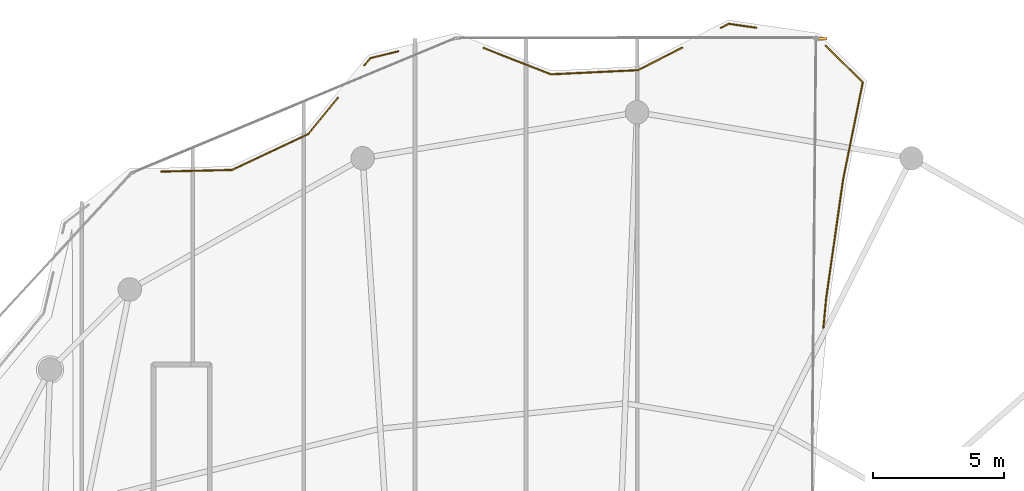
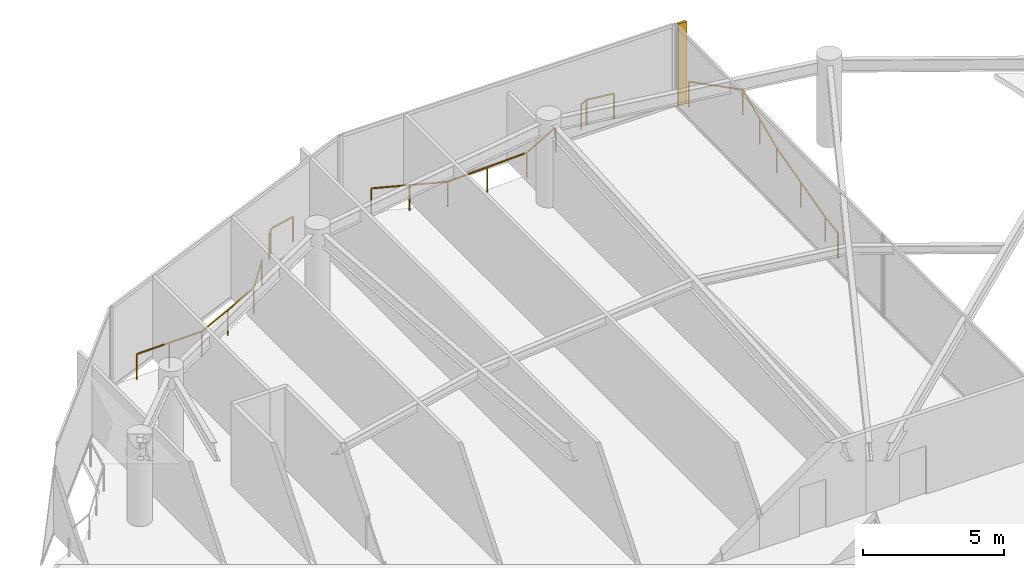
# One storey, part 22 of 22: 5 railings, 1 shading device.
"""IFC4 building model written with IfcOpenShell, lengths in metres."""

from ifc_helpers import new_model, si_unit, direction, frame, origin, origin_2d, place, context, subcontext, project, spatial, rectangle, extrude, material, type_object, element, save


model = new_model("IFC4")

# Units and contexts
model_context = context("Model", 3, precision=1e-05, world=origin(), true_north=direction((0.0, 1.0)))
body_context = subcontext(model_context, "Body", "Model", "MODEL_VIEW")
ifc_project = project(units=[si_unit("LENGTHUNIT", "METRE"), si_unit("AREAUNIT", "SQUARE_METRE"), si_unit("VOLUMEUNIT", "CUBIC_METRE"), si_unit("PLANEANGLEUNIT", "RADIAN"), si_unit("MASSUNIT", "GRAM", prefix="KILO")], contexts=[model_context])

# Site, building, storey
site_placement = place(None, origin())
site = spatial("IfcSite", under=ifc_project, at=site_placement, CompositionType="ELEMENT")
building_placement = place(site_placement, origin())
building = spatial("IfcBuilding", under=site, at=building_placement, Name="Kazevale Care Tower and Concert Hall", CompositionType="ELEMENT")
storey_placement = place(building_placement, frame((0.0, 0.0, 273.800048828125)))
storey = spatial("IfcBuildingStorey", under=building, at=storey_placement, Name="L72", CompositionType="ELEMENT", Elevation=273.800048828125)

# Railings
ifc_material_1 = material(Name="Anodised Bronze Aluminium and Laminated Glass", Category="aluminium")
railing_type = type_object("IfcRailingType", Name="Balcony and Terrace Balustrade 1120", PredefinedType="BALUSTRADE", material=ifc_material_1)
railing_1_placement = place(storey_placement, frame((26.7890625, 58.881103515625, 0.0)))
element("IfcRailing", 1, at=railing_1_placement, inside=storey, type_object=railing_type, Name="rail:L72:perim:4", PredefinedType="BALUSTRADE", context=body_context, shape_type="SweptSolid", body=[
    extrude(rectangle(XDim=0.048095703125, YDim=0.048095703125, at=origin_2d()), frame((0.0, 0.0, 1.09619140625), z_axis=(0.999729790592, 0.023245339399, 0.0), x_axis=(-0.023245339399, 0.999729790592, 0.0)), (0.0, 0.0, 1.0), 2.709716796875),
    extrude(rectangle(XDim=0.048095703125, YDim=0.048095703125, at=origin_2d()), frame((2.708984375, 0.06298828125, 1.09619140625), z_axis=(0.904530641987, 0.426408627617, 0.0), x_axis=(-0.426408627617, 0.904530641987, 0.0)), (0.0, 0.0, 1.0), 3.229248046875),
    extrude(rectangle(XDim=0.048095703125, YDim=0.048095703125, at=origin_2d()), frame((5.6298828125, 1.43994140625, 1.09619140625), z_axis=(0.633566885495, 0.773687922617, 0.0), x_axis=(-0.773687922617, 0.633566885495, 0.0)), (0.0, 0.0, 1.0), 1.777099609375),
    extrude(rectangle(XDim=0.0419921875, YDim=0.0419921875, at=origin_2d()), origin(), (0.0, 0.0, 1.0), 1.072021484375),
    extrude(rectangle(XDim=0.0419921875, YDim=0.0419921875, at=origin_2d()), frame((1.3544921875, 0.031494140625, 0.0)), (0.0, 0.0, 1.0), 1.072021484375),
    extrude(rectangle(XDim=0.0419921875, YDim=0.0419921875, at=origin_2d()), frame((2.708984375, 0.06298828125, 0.0)), (0.0, 0.0, 1.0), 1.072021484375),
    extrude(rectangle(XDim=0.0419921875, YDim=0.0419921875, at=origin_2d()), frame((4.16943359375, 0.75146484375, 0.0)), (0.0, 0.0, 1.0), 1.072021484375),
    extrude(rectangle(XDim=0.0419921875, YDim=0.0419921875, at=origin_2d()), frame((5.6298828125, 1.43994140625, 0.0)), (0.0, 0.0, 1.0), 1.072021484375),
    extrude(rectangle(XDim=0.0419921875, YDim=0.0419921875, at=origin_2d()), frame((6.755859375, 2.81494140625, 0.0)), (0.0, 0.0, 1.0), 1.072021484375),
])
railing_2_placement = place(storey_placement, frame((34.56689453125, 62.946044921875, 0.0)))
element("IfcRailing", 2, at=railing_2_placement, inside=storey, type_object=railing_type, Name="rail:L72:perim:5", PredefinedType="BALUSTRADE", context=body_context, shape_type="SweptSolid", body=[
    extrude(rectangle(XDim=0.048095703125, YDim=0.048095703125, at=origin_2d()), frame((0.0, 0.0, 1.09619140625), z_axis=(0.634591995609, 0.772847332343, 0.0), x_axis=(-0.772847332343, 0.634591995609, 0.0)), (0.0, 0.0, 1.0), 0.353271484375),
    extrude(rectangle(XDim=0.048095703125, YDim=0.048095703125, at=origin_2d()), frame((0.22412109375, 0.27294921875, 1.09619140625), z_axis=(0.970533156965, 0.240967614487, 0.0), x_axis=(-0.240967614487, 0.970533156965, 0.0)), (0.0, 0.0, 1.0), 1.099365234375),
    extrude(rectangle(XDim=0.0419921875, YDim=0.0419921875, at=origin_2d()), origin(), (0.0, 0.0, 1.0), 1.072021484375),
    extrude(rectangle(XDim=0.0419921875, YDim=0.0419921875, at=origin_2d()), frame((0.22412109375, 0.27294921875, 0.0)), (0.0, 0.0, 1.0), 1.072021484375),
    extrude(rectangle(XDim=0.0419921875, YDim=0.0419921875, at=origin_2d()), frame((1.291015625, 0.537841796875, 0.0)), (0.0, 0.0, 1.0), 1.072021484375),
])
railing_3_placement = place(storey_placement, frame((39.134033203125, 63.60888671875, 0.0)))
element("IfcRailing", 3, at=railing_3_placement, inside=storey, type_object=railing_type, Name="rail:L72:perim:6", PredefinedType="BALUSTRADE", context=body_context, shape_type="SweptSolid", body=[
    extrude(rectangle(XDim=0.048095703125, YDim=0.048095703125, at=origin_2d()), frame((0.0, 0.0, 1.09619140625), z_axis=(0.931241476006, -0.36440268024, 0.0), x_axis=(0.36440268024, 0.931241476006, 0.0)), (0.0, 0.0, 1.0), 2.762939453125),
    extrude(rectangle(XDim=0.048095703125, YDim=0.048095703125, at=origin_2d()), frame((2.572998046875, -1.0068359375, 1.09619140625), z_axis=(0.998849004691, 0.047965256457, 0.0), x_axis=(-0.047965256457, 0.998849004691, 0.0)), (0.0, 0.0, 1.0), 3.333984375),
    extrude(rectangle(XDim=0.048095703125, YDim=0.048095703125, at=origin_2d()), frame((5.903076171875, -0.846923828125, 1.09619140625), z_axis=(0.890537222448, 0.454910381762, 0.0), x_axis=(-0.454910381762, 0.890537222448, 0.0)), (0.0, 0.0, 1.0), 1.886474609375),
    extrude(rectangle(XDim=0.0419921875, YDim=0.0419921875, at=origin_2d()), origin(), (0.0, 0.0, 1.0), 1.072021484375),
    extrude(rectangle(XDim=0.0419921875, YDim=0.0419921875, at=origin_2d()), frame((1.28662109375, -0.50341796875, 0.0)), (0.0, 0.0, 1.0), 1.072021484375),
    extrude(rectangle(XDim=0.0419921875, YDim=0.0419921875, at=origin_2d()), frame((2.572998046875, -1.0068359375, 0.0)), (0.0, 0.0, 1.0), 1.072021484375),
    extrude(rectangle(XDim=0.0419921875, YDim=0.0419921875, at=origin_2d()), frame((4.238037109375, -0.9267578125, 0.0)), (0.0, 0.0, 1.0), 1.072021484375),
    extrude(rectangle(XDim=0.0419921875, YDim=0.0419921875, at=origin_2d()), frame((5.903076171875, -0.846923828125, 0.0)), (0.0, 0.0, 1.0), 1.072021484375),
    extrude(rectangle(XDim=0.0419921875, YDim=0.0419921875, at=origin_2d()), frame((7.5830078125, 0.01123046875, 0.0)), (0.0, 0.0, 1.0), 1.072021484375),
])
railing_4_placement = place(storey_placement, frame((48.2099609375, 64.382080078125, 0.0)))
element("IfcRailing", 4, at=railing_4_placement, inside=storey, type_object=railing_type, Name="rail:L72:perim:7", PredefinedType="BALUSTRADE", context=body_context, shape_type="SweptSolid", body=[
    extrude(rectangle(XDim=0.048095703125, YDim=0.048095703125, at=origin_2d()), frame((0.0, 0.0, 1.09619140625), z_axis=(0.891088968162, 0.453828657997, 0.0), x_axis=(-0.453828657997, 0.891088968162, 0.0)), (0.0, 0.0, 1.0), 0.3388671875),
    extrude(rectangle(XDim=0.048095703125, YDim=0.048095703125, at=origin_2d()), frame((0.302001953125, 0.15380859375, 1.09619140625), z_axis=(0.989508089913, -0.144477472283, 0.0), x_axis=(0.144477472283, 0.989508089913, 0.0)), (0.0, 0.0, 1.0), 1.051025390625),
    extrude(rectangle(XDim=0.0419921875, YDim=0.0419921875, at=origin_2d()), origin(), (0.0, 0.0, 1.0), 1.072021484375),
    extrude(rectangle(XDim=0.0419921875, YDim=0.0419921875, at=origin_2d()), frame((0.302001953125, 0.15380859375, 0.0)), (0.0, 0.0, 1.0), 1.072021484375),
    extrude(rectangle(XDim=0.0419921875, YDim=0.0419921875, at=origin_2d()), frame((1.342041015625, 0.001953125, 0.0)), (0.0, 0.0, 1.0), 1.072021484375),
])
railing_5_placement = place(storey_placement, frame((52.22412109375, 63.69189453125, 0.0)))
element("IfcRailing", 5, at=railing_5_placement, inside=storey, type_object=railing_type, Name="rail:L72:perim:8", PredefinedType="BALUSTRADE", context=body_context, shape_type="SweptSolid", body=[
    extrude(rectangle(XDim=0.048095703125, YDim=0.048095703125, at=origin_2d()), frame((0.0, 0.0, 1.09619140625), z_axis=(0.712137630783, -0.70203988122, 0.0), x_axis=(0.70203988122, 0.712137630783, 0.0)), (0.0, 0.0, 1.0), 1.982666015625),
    extrude(rectangle(XDim=0.048095703125, YDim=0.048095703125, at=origin_2d()), frame((1.411865234375, -1.391845703125, 1.09619140625), z_axis=(-0.199044428373, -0.979990467063, 0.0), x_axis=(0.979990467063, -0.199044428373, 0.0)), (0.0, 0.0, 1.0), 3.78271484375),
    extrude(rectangle(XDim=0.048095703125, YDim=0.048095703125, at=origin_2d()), frame((0.658935546875, -5.098876953125, 1.09619140625), z_axis=(-0.140844645504, -0.990031709509, 0.0), x_axis=(0.990031709509, -0.140844645504, 0.0)), (0.0, 0.0, 1.0), 4.623046875),
    extrude(rectangle(XDim=0.048095703125, YDim=0.048095703125, at=origin_2d()), frame((0.0078125, -9.67578125, 1.09619140625), z_axis=(-0.094120925215, -0.995560772347, 0.0), x_axis=(0.995560772347, -0.094120925215, 0.0)), (0.0, 0.0, 1.0), 1.10498046875),
    extrude(rectangle(XDim=0.0419921875, YDim=0.0419921875, at=origin_2d()), origin(), (0.0, 0.0, 1.0), 1.072021484375),
    extrude(rectangle(XDim=0.0419921875, YDim=0.0419921875, at=origin_2d()), frame((1.411865234375, -1.391845703125, 0.0)), (0.0, 0.0, 1.0), 1.072021484375),
    extrude(rectangle(XDim=0.0419921875, YDim=0.0419921875, at=origin_2d()), frame((1.035400390625, -3.245361328125, 0.0)), (0.0, 0.0, 1.0), 1.072021484375),
    extrude(rectangle(XDim=0.0419921875, YDim=0.0419921875, at=origin_2d()), frame((0.658935546875, -5.098876953125, 0.0)), (0.0, 0.0, 1.0), 1.072021484375),
    extrude(rectangle(XDim=0.0419921875, YDim=0.0419921875, at=origin_2d()), frame((0.33349609375, -7.38720703125, 0.0)), (0.0, 0.0, 1.0), 1.072021484375),
    extrude(rectangle(XDim=0.0419921875, YDim=0.0419921875, at=origin_2d()), frame((0.0078125, -9.67578125, 0.0)), (0.0, 0.0, 1.0), 1.072021484375),
    extrude(rectangle(XDim=0.0419921875, YDim=0.0419921875, at=origin_2d()), frame((-0.09619140625, -10.77587890625, 0.0)), (0.0, 0.0, 1.0), 1.072021484375),
])

# Shading device
ifc_material_2 = material(Name="Anodised Bronze Aluminium", Category="aluminium")
shading_device_type = type_object("IfcShadingDeviceType", Name="Waist Anodised Bronze-Stone Fin FIN-02", PredefinedType="USERDEFINED", material=ifc_material_2)
shading_device_placement = place(storey_placement, frame((52.1025390625, 63.964599609375, 0.0), z_axis=(0.0, 0.0, 1.0), x_axis=(0.999960384766, -0.008901061644, 0.0)))
element("IfcShadingDevice", 6, at=shading_device_placement, inside=storey, type_object=shading_device_type, Name="cw:L72:f13:fin", ObjectType="FIN", PredefinedType="USERDEFINED", context=body_context, shape_type="SweptSolid", body=[
    extrude(rectangle(XDim=0.340087890625, YDim=0.10009765625, at=origin_2d()), origin(), (0.0, 0.0, 1.0), 3.56005859375),
])

save(model, "model.ifc")
